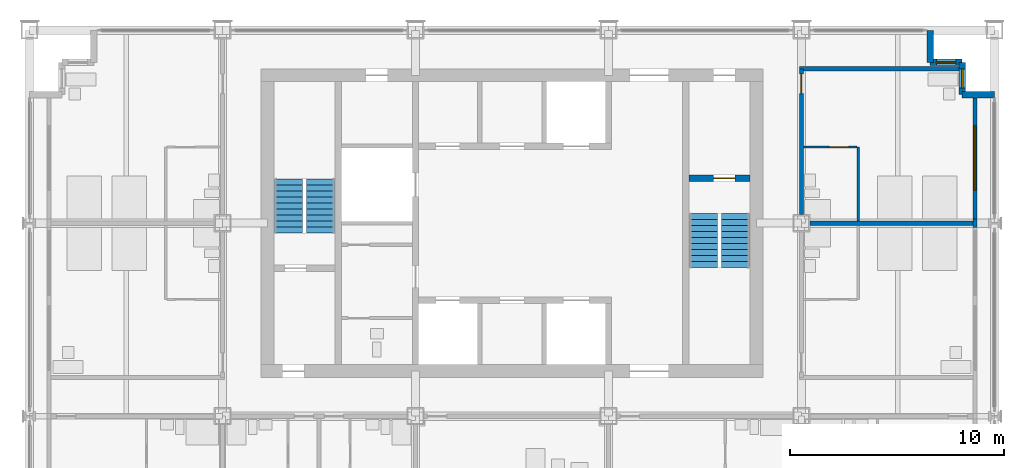
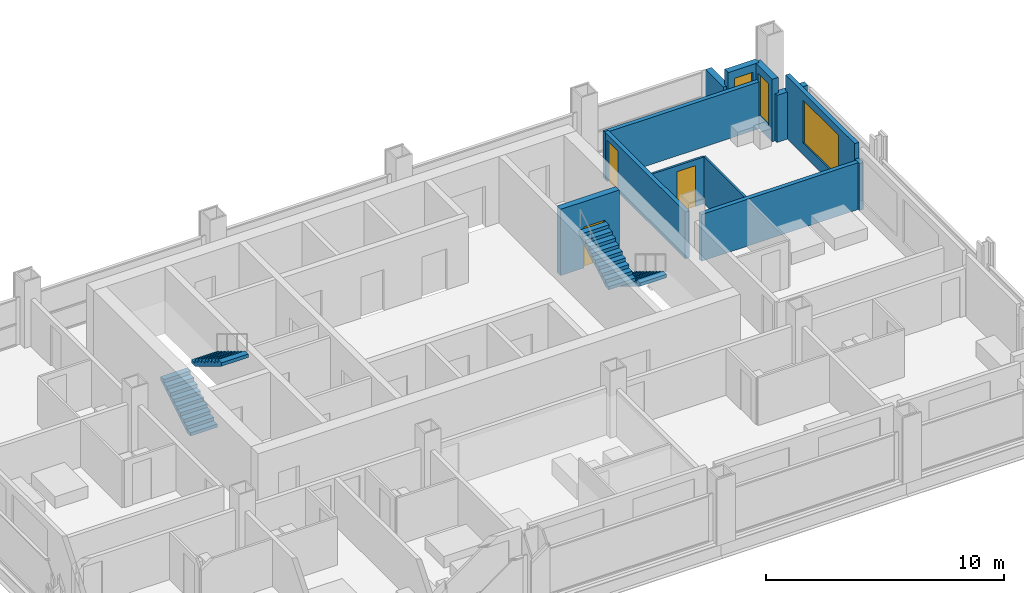
# One storey, part 10 of 13: 12 walls, 4 stair flights, 3 doors, 3 windows, 6 openings, 2 elements without a shape of their own.
"""IFC4 building model written with IfcOpenShell, lengths in metres."""

from ifc_helpers import new_model, si_unit, direction, frame, frame_2d, origin, place, context, subcontext, project, spatial, polyline, rectangle, outline, extrude, material, layer, layer_set, type_object, element, fill, aggregate, save


model = new_model("IFC4")

# Units and contexts
model_context = context("Model", 3, precision=1e-05, world=origin(), true_north=direction((0.0, 1.0)))
body_context = subcontext(model_context, "Body", "Model", "MODEL_VIEW")
ifc_project = project(units=[si_unit("LENGTHUNIT", "METRE"), si_unit("AREAUNIT", "SQUARE_METRE"), si_unit("VOLUMEUNIT", "CUBIC_METRE"), si_unit("PLANEANGLEUNIT", "RADIAN"), si_unit("MASSUNIT", "GRAM", prefix="KILO")], contexts=[model_context])

# Site, building, storey
site_placement = place(None, origin())
site = spatial("IfcSite", under=ifc_project, at=site_placement, CompositionType="ELEMENT")
building_placement = place(site_placement, origin())
building = spatial("IfcBuilding", under=site, at=building_placement, Name="Loomwork Tower", CompositionType="ELEMENT")
storey_placement = place(building_placement, frame((0.0, 0.0, 191.0)))
storey = spatial("IfcBuildingStorey", under=building, at=storey_placement, Name="L52", CompositionType="ELEMENT", Elevation=191.0)

# Wall, opening, door
ifc_material_1 = material(Name="Concrete 14000 psi (97 MPa)", Category="concrete")
ifc_layer_1 = layer(ifc_material_1, 0.300048828125)
ifc_layer_set_1 = layer_set([ifc_layer_1], Name="Core shear wall 300")
wall_type_1 = type_object("IfcWallType", Name="Core shear wall 300", PredefinedType="SHEAR", material=ifc_layer_set_1)
wall_1_placement = place(storey_placement, frame((30.75, 20.10009765625, 0.0), z_axis=(0.0, 0.0, 1.0), x_axis=(1.0, 0.0, 0.0)))
wall_1 = element("IfcWall", 1, at=wall_1_placement, inside=storey, type_object=wall_type_1, Name="Stair B north wall L52", PredefinedType="SHEAR", context=body_context, shape_type="SweptSolid", body=[
    extrude(rectangle(XDim=2.85009765625, YDim=0.300048828125, at=frame_2d((1.425048828125, 0.0))), origin(), (0.0, 0.0, 1.0), 3.39990234375),
])
opening_1_placement = place(wall_1_placement, frame((1.14990234375, 0.0, 0.0)))
opening_1 = element("IfcOpeningElement", 2, at=opening_1_placement, cuts=wall_1, Name="Opening D4", PredefinedType="OPENING", context=body_context, shape_type="SweptSolid", body=[
    extrude(rectangle(XDim=1.0, YDim=2.10009765625, at=frame_2d((0.5, 1.050048828125))), frame((0.0, 0.159912109375, 0.0), z_axis=(0.0, -1.0, 0.0), x_axis=(1.0, 0.0, 0.0)), (0.0, 0.0, 1.0), 0.320068359375),
])
ifc_material_2 = material(Name="Hollow metal door and frame")
door_type_1 = type_object("IfcDoorType", Name="Stair door 1000", OperationType="SINGLE_SWING_RIGHT", PredefinedType="DOOR", material=ifc_material_2)
door_1_placement = place(opening_1_placement, frame((1.0, 0.0, 0.0), z_axis=(0.0, 0.0, 1.0), x_axis=(-1.0, 0.0, 0.0)))
door_1 = element("IfcDoor", 3, at=door_1_placement, inside=storey, type_object=door_type_1, Name="Stair B door", OperationType="SINGLE_SWING_LEFT", OverallHeight=2.10009765625, OverallWidth=1.0, PredefinedType="DOOR", context=body_context, shape_type="SweptSolid", body=[
    extrude(rectangle(XDim=1.0, YDim=2.10009765625, at=frame_2d((0.5, 1.050048828125))), frame((0.0, 0.02490234375, 0.0), z_axis=(0.0, -1.0, 0.0), x_axis=(1.0, 0.0, 0.0)), (0.0, 0.0, 1.0), 0.050048828125),
])
fill(opening_1, door_1)

ifc_material_3 = material(Name="Gypsum board on steel studs, one-hour", Category="steel")
ifc_layer_2 = layer(ifc_material_3, 0.199951171875)
ifc_layer_set_2 = layer_set([ifc_layer_2], Name="Corridor wall 200")
wall_type_2 = type_object("IfcWallType", Name="Corridor wall 200", PredefinedType="PARTITIONING", material=ifc_layer_set_2)
wall_2_placement = place(storey_placement, frame((36.0, 18.39990234375, 0.0), z_axis=(0.0, 0.0, 1.0), x_axis=(0.0, 1.0, 0.0)))
wall_2 = element("IfcWall", 4, at=wall_2_placement, inside=storey, type_object=wall_type_2, Name="East corridor wall 2", PredefinedType="PARTITIONING", context=body_context, shape_type="SweptSolid", body=[
    extrude(rectangle(XDim=6.800048828125, YDim=0.199951171875, at=frame_2d((3.39990234375, 0.0))), origin(), (0.0, 0.0, 1.0), 2.405029296875),
])
opening_2_placement = place(wall_2_placement, frame((5.64990234375, 0.0, 0.0)))
opening_2 = element("IfcOpeningElement", 5, at=opening_2_placement, cuts=wall_2, Name="Opening D1", PredefinedType="OPENING", context=body_context, shape_type="SweptSolid", body=[
    extrude(rectangle(XDim=0.89990234375, YDim=2.10009765625, at=frame_2d((0.449951171875, 1.050048828125))), frame((0.0, 0.10986328125, 0.0), z_axis=(0.0, -1.0, 0.0), x_axis=(1.0, 0.0, 0.0)), (0.0, 0.0, 1.0), 0.219970703125),
])
ifc_material_4 = material(Name="Hollow metal door and frame")
door_type_2 = type_object("IfcDoorType", Name="Guest room entry door 900", OperationType="SINGLE_SWING_LEFT", PredefinedType="DOOR", material=ifc_material_4)
door_2_placement = place(opening_2_placement, frame((0.89990234375, 0.0, 0.0), z_axis=(0.0, 0.0, 1.0), x_axis=(-1.0, 0.0, 0.0)))
door_2 = element("IfcDoor", 6, at=door_2_placement, inside=storey, type_object=door_type_2, Name="Guest room entry door L52 10", OperationType="SINGLE_SWING_LEFT", OverallHeight=2.10009765625, OverallWidth=0.89990234375, PredefinedType="DOOR", context=body_context, shape_type="SweptSolid", body=[
    extrude(rectangle(XDim=0.89990234375, YDim=2.10009765625, at=frame_2d((0.449951171875, 1.050048828125))), frame((0.0, 0.02490234375, 0.0), z_axis=(0.0, -1.0, 0.0), x_axis=(1.0, 0.0, 0.0)), (0.0, 0.0, 1.0), 0.050048828125),
])
fill(opening_2, door_2)

# Walls
wall_3_placement = place(storey_placement, frame((35.89990234375, 25.199951171875, 0.0), z_axis=(0.0, 0.0, 1.0), x_axis=(1.0, 0.0, 0.0)))
element("IfcWall", 7, at=wall_3_placement, inside=storey, type_object=wall_type_2, Name="East band end wall N", PredefinedType="PARTITIONING", context=body_context, shape_type="SweptSolid", body=[
    extrude(rectangle(XDim=7.4501953125, YDim=0.199951171875, at=frame_2d((3.72509765625, 0.0))), origin(), (0.0, 0.0, 1.0), 2.404052734375),
])
ifc_material_5 = material(Name="Cement board on steel studs", Category="steel")
ifc_layer_3 = layer(ifc_material_5, 0.10009765625)
ifc_layer_set_3 = layer_set([ifc_layer_3], Name="En-suite partition 100")
wall_type_3 = type_object("IfcWallType", Name="En-suite partition 100", PredefinedType="PARTITIONING", material=ifc_layer_set_3)
wall_4_placement = place(storey_placement, frame((38.64990234375, 18.10009765625, 0.0), z_axis=(0.0, 0.0, 1.0), x_axis=(0.0, 1.0, 0.0)))
element("IfcWall", 8, at=wall_4_placement, inside=storey, type_object=wall_type_3, Name="En-suite wall L52 room 10", PredefinedType="PARTITIONING", context=body_context, shape_type="SweptSolid", body=[
    extrude(rectangle(XDim=3.449951171875, YDim=0.10009765625, at=frame_2d((1.72509765625, 0.0))), origin(), (0.0, 0.0, 1.0), 2.404052734375),
])

# Wall, opening, door
wall_5_placement = place(storey_placement, frame((36.10009765625, 21.550048828125, 0.0), z_axis=(0.0, 0.0, 1.0), x_axis=(1.0, 0.0, 0.0)))
wall_5 = element("IfcWall", 9, at=wall_5_placement, inside=storey, type_object=wall_type_3, Name="En-suite side wall L52 room 10", PredefinedType="PARTITIONING", context=body_context, shape_type="SweptSolid", body=[
    extrude(rectangle(XDim=2.5, YDim=0.10009765625, at=frame_2d((1.25, 0.0))), origin(), (0.0, 0.0, 1.0), 2.404052734375),
])
opening_3_placement = place(wall_5_placement, frame((1.199951171875, 0.0, 0.0)))
opening_3 = element("IfcOpeningElement", 10, at=opening_3_placement, cuts=wall_5, Name="Opening D2", PredefinedType="OPENING", context=body_context, shape_type="SweptSolid", body=[
    extrude(rectangle(XDim=0.89990234375, YDim=2.10009765625, at=frame_2d((0.449951171875, 1.050048828125))), frame((0.0, 0.06005859375, 0.0), z_axis=(0.0, -1.0, 0.0), x_axis=(1.0, 0.0, 0.0)), (0.0, 0.0, 1.0), 0.1201171875),
])
ifc_material_6 = material(Name="Hollow metal door and frame")
door_type_3 = type_object("IfcDoorType", Name="En-suite door 900", OperationType="SINGLE_SWING_LEFT", PredefinedType="DOOR", material=ifc_material_6)
door_3_placement = place(opening_3_placement, frame((0.89990234375, 0.0, 0.0), z_axis=(0.0, 0.0, 1.0), x_axis=(-1.0, 0.0, 0.0)))
door_3 = element("IfcDoor", 11, at=door_3_placement, inside=storey, type_object=door_type_3, Name="En-suite door room 10", OperationType="SINGLE_SWING_LEFT", OverallHeight=2.10009765625, OverallWidth=0.89990234375, PredefinedType="DOOR", context=body_context, shape_type="SweptSolid", body=[
    extrude(rectangle(XDim=0.89990234375, YDim=2.10009765625, at=frame_2d((0.449951171875, 1.050048828125))), frame((0.0, 0.02490234375, 0.0), z_axis=(0.0, -1.0, 0.0), x_axis=(1.0, 0.0, 0.0)), (0.0, 0.0, 1.0), 0.050048828125),
])
fill(opening_3, door_3)

# Walls
ifc_material_7 = material(Name="Gypsum board on steel studs, acoustic", Category="steel")
ifc_layer_4 = layer(ifc_material_7, 0.199951171875)
ifc_layer_set_4 = layer_set([ifc_layer_4], Name="Guest room party wall 200")
wall_type_4 = type_object("IfcWallType", Name="Guest room party wall 200", PredefinedType="PARTITIONING", material=ifc_layer_set_4)
wall_6_placement = place(storey_placement, frame((36.39990234375, 18.0, 0.0), z_axis=(0.0, 0.0, 1.0), x_axis=(1.0, 0.0, 0.0)))
element("IfcWall", 12, at=wall_6_placement, inside=storey, type_object=wall_type_4, Name="Guest room party wall E 18", PredefinedType="PARTITIONING", context=body_context, shape_type="SweptSolid", body=[
    extrude(rectangle(XDim=7.60009765625, YDim=0.199951171875, at=frame_2d((3.800048828125, 0.0))), origin(), (0.0, 0.0, 1.0), 2.405029296875),
])
ifc_material_8 = material(Name="Insulated steel stud wall with gypsum lining", Category="steel")
ifc_layer_5 = layer(ifc_material_8, 0.199951171875)
ifc_layer_set_5 = layer_set([ifc_layer_5], Name="Inner skin wall 200")
wall_type_5 = type_object("IfcWallType", Name="Inner skin wall 200", PredefinedType="SOLIDWALL", material=ifc_layer_set_5)
wall_7_placement = place(storey_placement, frame((44.10009765625, 17.80615234375, 0.0), z_axis=(0.0, 0.0, 1.0), x_axis=(0.0, 1.0, 0.0)))
element("IfcWall", 13, at=wall_7_placement, inside=storey, type_object=wall_type_5, Name="Inner skin wall E bay 6", PredefinedType="SOLIDWALL", context=body_context, shape_type="SweptSolid", body=[
    extrude(rectangle(XDim=0.3876953125, YDim=0.199951171875, at=frame_2d((0.19384765625, 0.0))), origin(), (0.0, 0.0, 1.0), 2.404052734375),
])

# Wall, opening, window
wall_8_placement = place(storey_placement, frame((44.10009765625, 18.19384765625, 0.0), z_axis=(0.0, 0.0, 1.0), x_axis=(0.0, 1.0, 0.0)))
wall_8 = element("IfcWall", 14, at=wall_8_placement, inside=storey, type_object=wall_type_5, Name="Inner skin wall E bay 7", PredefinedType="SOLIDWALL", context=body_context, shape_type="SweptSolid", body=[
    extrude(rectangle(XDim=5.80615234375, YDim=0.199951171875, at=frame_2d((2.903076171875, 0.0))), origin(), (0.0, 0.0, 1.0), 3.199951171875),
])
opening_4_placement = place(wall_8_placement, frame((1.356201171875, 0.0, 0.60009765625)))
opening_4 = element("IfcOpeningElement", 15, at=opening_4_placement, cuts=wall_8, Name="Opening CH1", PredefinedType="OPENING", context=body_context, shape_type="SweptSolid", body=[
    extrude(rectangle(XDim=3.0, YDim=2.199951171875, at=frame_2d((1.5, 1.10009765625))), frame((0.0, 0.10986328125, 0.0), z_axis=(0.0, -1.0, 0.0), x_axis=(1.0, 0.0, 0.0)), (0.0, 0.0, 1.0), 0.219970703125),
])
ifc_material_9 = material(Name="Aluminium frame with clear insulated glass", Category="aluminium")
window_type_1 = type_object("IfcWindowType", Name="Chicago window 3000", PartitioningType="TRIPLE_PANEL_VERTICAL", PredefinedType="WINDOW", material=ifc_material_9)
window_1_placement = place(opening_4_placement, origin())
window_1 = element("IfcWindow", 16, at=window_1_placement, inside=storey, type_object=window_type_1, Name="Chicago window L52 bay 9", OverallHeight=2.199951171875, OverallWidth=3.0, PartitioningType="TRIPLE_PANEL_VERTICAL", PredefinedType="WINDOW", context=body_context, shape_type="SweptSolid", body=[
    extrude(rectangle(XDim=3.0, YDim=2.199951171875, at=frame_2d((1.5, 1.10009765625))), frame((0.0, 0.030029296875, 0.0), z_axis=(0.0, -1.0, 0.0), x_axis=(1.0, 0.0, 0.0)), (0.0, 0.0, 1.0), 0.06005859375),
])
fill(opening_4, window_1)

# Wall
ifc_material_10 = material(Name="Limestone on concrete masonry", Category="masonry")
ifc_layer_6 = layer(ifc_material_10, 0.300048828125)
ifc_layer_set_6 = layer_set([ifc_layer_6], Name="Limestone corner wall 300")
wall_type_6 = type_object("IfcWallType", Name="Limestone corner wall 300", PredefinedType="SOLIDWALL", material=ifc_layer_set_6)
wall_9_placement = place(storey_placement, frame((45.0, 24.0, 0.0), z_axis=(0.0, 0.0, 1.0), x_axis=(-1.0, 0.0, 0.0)))
element("IfcWall", 17, at=wall_9_placement, inside=storey, type_object=wall_type_6, Name="Stone corner wall NE 1", PredefinedType="SOLIDWALL", context=body_context, shape_type="SweptSolid", body=[
    extrude(rectangle(XDim=1.5, YDim=0.300048828125, at=frame_2d((0.75, 0.0))), origin(), (0.0, 0.0, 1.0), 2.419921875),
])

# Wall, opening, window
wall_10_placement = place(storey_placement, frame((43.5, 24.0, 0.0), z_axis=(0.0, 0.0, 1.0), x_axis=(0.0, 1.0, 0.0)))
wall_10 = element("IfcWall", 18, at=wall_10_placement, inside=storey, type_object=wall_type_6, Name="Stone corner wall NE 2", PredefinedType="SOLIDWALL", context=body_context, shape_type="SweptSolid", body=[
    extrude(rectangle(XDim=1.5, YDim=0.300048828125, at=frame_2d((0.75, 0.0))), origin(), (0.0, 0.0, 1.0), 3.199951171875),
])
opening_5_placement = place(wall_10_placement, frame((0.300048828125, 0.0, 0.60009765625)))
opening_5 = element("IfcOpeningElement", 19, at=opening_5_placement, cuts=wall_10, Name="Opening CH2", PredefinedType="OPENING", context=body_context, shape_type="SweptSolid", body=[
    extrude(rectangle(XDim=0.89990234375, YDim=2.199951171875, at=frame_2d((0.449951171875, 1.10009765625))), frame((0.0, 0.159912109375, 0.0), z_axis=(0.0, -1.0, 0.0), x_axis=(1.0, 0.0, 0.0)), (0.0, 0.0, 1.0), 0.320068359375),
])
ifc_material_11 = material(Name="Aluminium frame with clear insulated glass", Category="aluminium")
window_type_2 = type_object("IfcWindowType", Name="Corner window 900", PartitioningType="SINGLE_PANEL", PredefinedType="WINDOW", material=ifc_material_11)
window_2_placement = place(opening_5_placement, origin())
window_2 = element("IfcWindow", 20, at=window_2_placement, inside=storey, type_object=window_type_2, Name="Corner window NE", OverallHeight=2.199951171875, OverallWidth=0.89990234375, PartitioningType="SINGLE_PANEL", PredefinedType="WINDOW", context=body_context, shape_type="SweptSolid", body=[
    extrude(rectangle(XDim=0.89990234375, YDim=2.199951171875, at=frame_2d((0.449951171875, 1.10009765625))), frame((0.0, 0.030029296875, 0.0), z_axis=(0.0, -1.0, 0.0), x_axis=(1.0, 0.0, 0.0)), (0.0, 0.0, 1.0), 0.06005859375),
])
fill(opening_5, window_2)

wall_11_placement = place(storey_placement, frame((43.5, 25.5, 0.0), z_axis=(0.0, 0.0, 1.0), x_axis=(-1.0, 0.0, 0.0)))
wall_11 = element("IfcWall", 21, at=wall_11_placement, inside=storey, type_object=wall_type_6, Name="Stone corner wall NE 3", PredefinedType="SOLIDWALL", context=body_context, shape_type="SweptSolid", body=[
    extrude(rectangle(XDim=1.5, YDim=0.300048828125, at=frame_2d((0.75, 0.0))), origin(), (0.0, 0.0, 1.0), 3.199951171875),
])
opening_6_placement = place(wall_11_placement, frame((0.300048828125, 0.0, 0.60009765625)))
opening_6 = element("IfcOpeningElement", 22, at=opening_6_placement, cuts=wall_11, Name="Opening CH2", PredefinedType="OPENING", context=body_context, shape_type="SweptSolid", body=[
    extrude(rectangle(XDim=0.89990234375, YDim=2.199951171875, at=frame_2d((0.449951171875, 1.10009765625))), frame((0.0, 0.159912109375, 0.0), z_axis=(0.0, -1.0, 0.0), x_axis=(1.0, 0.0, 0.0)), (0.0, 0.0, 1.0), 0.320068359375),
])
window_3_placement = place(opening_6_placement, origin())
window_3 = element("IfcWindow", 23, at=window_3_placement, inside=storey, type_object=window_type_2, Name="Corner window NE", OverallHeight=2.199951171875, OverallWidth=0.89990234375, PartitioningType="SINGLE_PANEL", PredefinedType="WINDOW", context=body_context, shape_type="SweptSolid", body=[
    extrude(rectangle(XDim=0.89990234375, YDim=2.199951171875, at=frame_2d((0.449951171875, 1.10009765625))), frame((0.0, 0.030029296875, 0.0), z_axis=(0.0, -1.0, 0.0), x_axis=(1.0, 0.0, 0.0)), (0.0, 0.0, 1.0), 0.06005859375),
])
fill(opening_6, window_3)

# Wall
wall_12_placement = place(storey_placement, frame((42.0, 25.5, 0.0), z_axis=(0.0, 0.0, 1.0), x_axis=(0.0, 1.0, 0.0)))
element("IfcWall", 24, at=wall_12_placement, inside=storey, type_object=wall_type_6, Name="Stone corner wall NE 4", PredefinedType="SOLIDWALL", context=body_context, shape_type="SweptSolid", body=[
    extrude(rectangle(XDim=1.5, YDim=0.300048828125, at=frame_2d((0.75, 0.0))), origin(), (0.0, 0.0, 1.0), 2.419921875),
])

# Stair, stair flights
ifc_material_12 = material(Name="Concrete 5000 psi (34 MPa) precast stair", Category="concrete")
stair_type_1 = type_object("IfcStairType", Name="Stair ST-A 20 risers 2850 wide", PredefinedType="HALF_TURN_STAIR", material=ifc_material_12)
stair_1_placement = place(storey_placement, origin())
stair_1 = element("IfcStair", 25, at=stair_1_placement, inside=storey, type_object=stair_type_1, Name="Stair A L52", PredefinedType="HALF_TURN_STAIR")
ifc_material_13 = material(Name="Concrete 5000 psi (34 MPa) precast stair", Category="concrete")
stair_flight_type_1 = type_object("IfcStairFlightType", Name="Stair flight ST-A 10 risers 1300 wide", PredefinedType="STRAIGHT", material=ifc_material_13)
stair_flight_1_placement = place(storey_placement, frame((12.074951171875, 17.550048828125, 0.0), z_axis=(0.0, 0.0, 1.0), x_axis=(0.0, 1.0, 0.0)))
stair_flight_1 = element("IfcStairFlight", 26, at=stair_flight_1_placement, type_object=stair_flight_type_1, Name="ST-A flight 1", NumberOfRisers=10, NumberOfTreads=9, PredefinedType="STRAIGHT", RiserHeight=0.17, TreadLength=0.28, context=body_context, shape_type="SweptSolid", body=[
    extrude(outline(polyline([(0.0, 0.0), (0.0, 0.169921875), (0.280029296875, 0.169921875), (0.280029296875, 0.340087890625), (0.56005859375, 0.340087890625), (0.56005859375, 0.510009765625), (0.840087890625, 0.510009765625), (0.840087890625, 0.679931640625), (1.1201171875, 0.679931640625), (1.1201171875, 0.85009765625), (1.39990234375, 0.85009765625), (1.39990234375, 1.02001953125), (1.679931640625, 1.02001953125), (1.679931640625, 1.18994140625), (1.9599609375, 1.18994140625), (1.9599609375, 1.360107421875), (2.239990234375, 1.360107421875), (2.239990234375, 1.530029296875), (2.52001953125, 1.530029296875), (2.52001953125, 1.699951171875), (2.52001953125, 1.354736328125), (0.288818359375, 0.0), (0.0, 0.0)])), frame((0.0, 0.64990234375, 0.0), z_axis=(0.0, -1.0, 0.0), x_axis=(1.0, 0.0, 0.0)), (0.0, 0.0, 1.0), 1.300048828125),
])
stair_flight_2_placement = place(storey_placement, frame((13.574951171875, 20.070068359375, 1.699951171875), z_axis=(0.0, 0.0, 1.0), x_axis=(0.0, -1.0, 0.0)))
stair_flight_2 = element("IfcStairFlight", 27, at=stair_flight_2_placement, type_object=stair_flight_type_1, Name="ST-A flight 2", NumberOfRisers=10, NumberOfTreads=9, PredefinedType="STRAIGHT", RiserHeight=0.17, TreadLength=0.28, context=body_context, shape_type="SweptSolid", body=[
    extrude(outline(polyline([(0.0, 0.0), (0.0, 0.169921875), (0.280029296875, 0.169921875), (0.280029296875, 0.340087890625), (0.56005859375, 0.340087890625), (0.56005859375, 0.510009765625), (0.840087890625, 0.510009765625), (0.840087890625, 0.679931640625), (1.1201171875, 0.679931640625), (1.1201171875, 0.85009765625), (1.39990234375, 0.85009765625), (1.39990234375, 1.02001953125), (1.679931640625, 1.02001953125), (1.679931640625, 1.18994140625), (1.9599609375, 1.18994140625), (1.9599609375, 1.360107421875), (2.239990234375, 1.360107421875), (2.239990234375, 1.530029296875), (2.52001953125, 1.530029296875), (2.52001953125, 1.699951171875), (2.52001953125, 1.354736328125), (0.288818359375, 0.0), (0.0, 0.0)])), frame((0.0, 0.64990234375, 0.0), z_axis=(0.0, -1.0, 0.0), x_axis=(1.0, 0.0, 0.0)), (0.0, 0.0, 1.0), 1.300048828125),
])
aggregate(stair_1, [stair_flight_1, stair_flight_2])

ifc_material_14 = material(Name="Concrete 5000 psi (34 MPa) precast stair", Category="concrete")
stair_type_2 = type_object("IfcStairType", Name="Stair ST-B 20 risers 2850 wide", PredefinedType="HALF_TURN_STAIR", material=ifc_material_14)
stair_2_placement = place(storey_placement, origin())
stair_2 = element("IfcStair", 28, at=stair_2_placement, inside=storey, type_object=stair_type_2, Name="Stair B L52", PredefinedType="HALF_TURN_STAIR")
ifc_material_15 = material(Name="Concrete 5000 psi (34 MPa) precast stair", Category="concrete")
stair_flight_type_2 = type_object("IfcStairFlightType", Name="Stair flight ST-B 10 risers 1300 wide", PredefinedType="STRAIGHT", material=ifc_material_15)
stair_flight_3_placement = place(storey_placement, frame((32.925048828125, 18.449951171875, 0.0), z_axis=(0.0, 0.0, 1.0), x_axis=(0.0, -1.0, 0.0)))
stair_flight_3 = element("IfcStairFlight", 29, at=stair_flight_3_placement, type_object=stair_flight_type_2, Name="ST-B flight 1", NumberOfRisers=10, NumberOfTreads=9, PredefinedType="STRAIGHT", RiserHeight=0.17, TreadLength=0.28, context=body_context, shape_type="SweptSolid", body=[
    extrude(outline(polyline([(0.0, 0.0), (0.0, 0.169921875), (0.280029296875, 0.169921875), (0.280029296875, 0.340087890625), (0.56005859375, 0.340087890625), (0.56005859375, 0.510009765625), (0.840087890625, 0.510009765625), (0.840087890625, 0.679931640625), (1.1201171875, 0.679931640625), (1.1201171875, 0.85009765625), (1.39990234375, 0.85009765625), (1.39990234375, 1.02001953125), (1.679931640625, 1.02001953125), (1.679931640625, 1.18994140625), (1.9599609375, 1.18994140625), (1.9599609375, 1.360107421875), (2.239990234375, 1.360107421875), (2.239990234375, 1.530029296875), (2.52001953125, 1.530029296875), (2.52001953125, 1.699951171875), (2.52001953125, 1.354736328125), (0.288818359375, 0.0), (0.0, 0.0)])), frame((0.0, 0.64990234375, 0.0), z_axis=(0.0, -1.0, 0.0), x_axis=(1.0, 0.0, 0.0)), (0.0, 0.0, 1.0), 1.300048828125),
])
stair_flight_4_placement = place(storey_placement, frame((31.425048828125, 15.929931640625, 1.699951171875), z_axis=(0.0, 0.0, 1.0), x_axis=(0.0, 1.0, 0.0)))
stair_flight_4 = element("IfcStairFlight", 30, at=stair_flight_4_placement, type_object=stair_flight_type_2, Name="ST-B flight 2", NumberOfRisers=10, NumberOfTreads=9, PredefinedType="STRAIGHT", RiserHeight=0.17, TreadLength=0.28, context=body_context, shape_type="SweptSolid", body=[
    extrude(outline(polyline([(0.0, 0.0), (0.0, 0.169921875), (0.280029296875, 0.169921875), (0.280029296875, 0.340087890625), (0.56005859375, 0.340087890625), (0.56005859375, 0.510009765625), (0.840087890625, 0.510009765625), (0.840087890625, 0.679931640625), (1.1201171875, 0.679931640625), (1.1201171875, 0.85009765625), (1.39990234375, 0.85009765625), (1.39990234375, 1.02001953125), (1.679931640625, 1.02001953125), (1.679931640625, 1.18994140625), (1.9599609375, 1.18994140625), (1.9599609375, 1.360107421875), (2.239990234375, 1.360107421875), (2.239990234375, 1.530029296875), (2.52001953125, 1.530029296875), (2.52001953125, 1.699951171875), (2.52001953125, 1.354736328125), (0.288818359375, 0.0), (0.0, 0.0)])), frame((0.0, 0.64990234375, 0.0), z_axis=(0.0, -1.0, 0.0), x_axis=(1.0, 0.0, 0.0)), (0.0, 0.0, 1.0), 1.300048828125),
])
aggregate(stair_2, [stair_flight_3, stair_flight_4])

save(model, "model.ifc")
